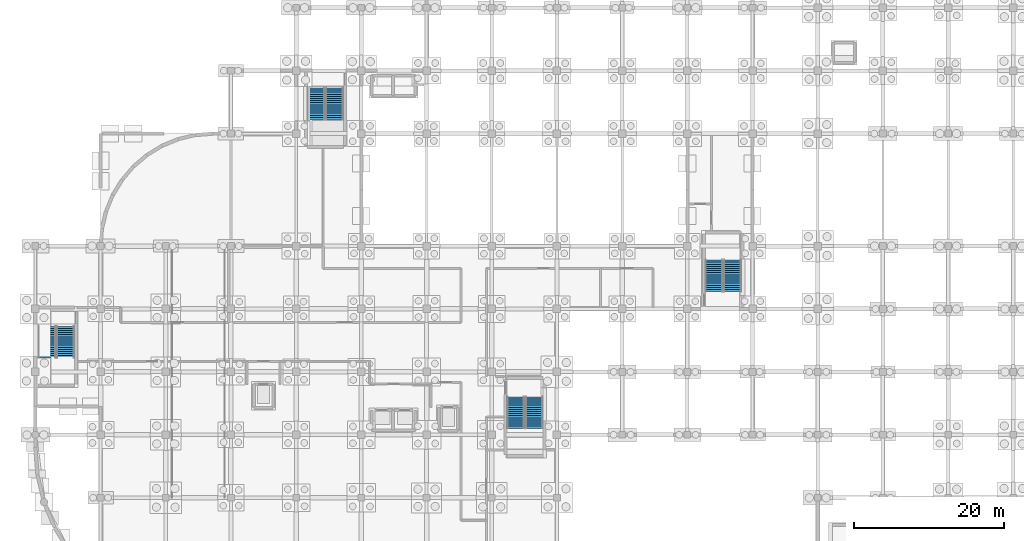
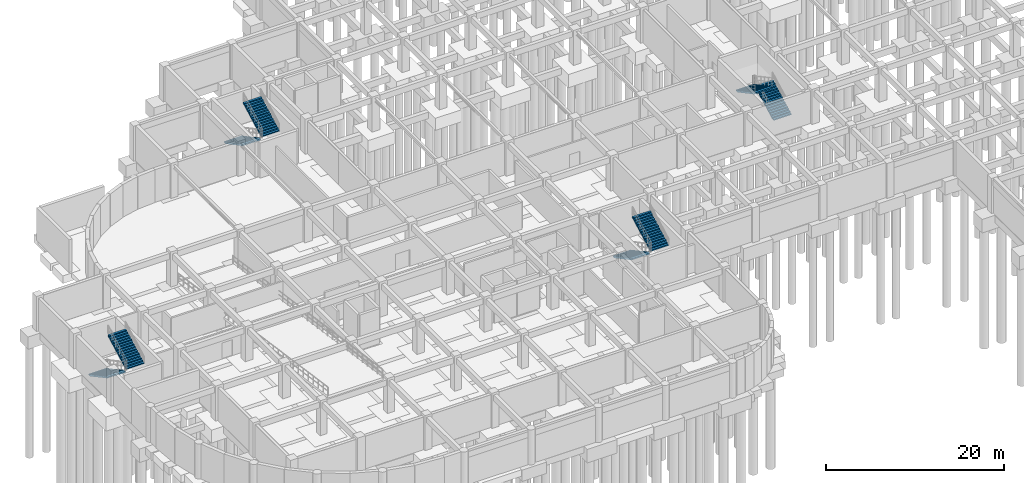
# One storey, part 29 of 33: 8 stair flights, 4 elements without a shape of their own.
"""IFC4 building model written with IfcOpenShell, lengths in metres."""

from ifc_helpers import new_model, si_unit, derived_unit, direction, frame, origin, place, context, subcontext, project, spatial, polyline, outline, extrude, material, type_object, element, aggregate, save


model = new_model("IFC4")

# Units and contexts
model_context = context("Model", 3, precision=1e-05, world=origin(), true_north=direction((0.0, 1.0)))
body_context = subcontext(model_context, "Body", "Model", "MODEL_VIEW")
ifc_project = project(units=[si_unit("LENGTHUNIT", "METRE"), si_unit("AREAUNIT", "SQUARE_METRE"), si_unit("VOLUMEUNIT", "CUBIC_METRE"), si_unit("PLANEANGLEUNIT", "RADIAN"), si_unit("MASSUNIT", "GRAM", prefix="KILO"), derived_unit("THERMALTRANSMITTANCEUNIT", [(si_unit("MASSUNIT", "GRAM", prefix="KILO"), 1), (si_unit("TIMEUNIT", "SECOND"), -3), (si_unit("THERMODYNAMICTEMPERATUREUNIT", "KELVIN"), -1)])], contexts=[model_context])

# Site, building, storey
site_placement = place(None, origin())
site = spatial("IfcSite", under=ifc_project, at=site_placement, CompositionType="ELEMENT")
building_placement = place(site_placement, origin())
building = spatial("IfcBuilding", under=site, at=building_placement, Name="Qinzheling Arcade Emporium", CompositionType="ELEMENT")
storey_placement = place(building_placement, frame((0.0, 0.0, -9.60009765625)))
storey = spatial("IfcBuildingStorey", under=building, at=storey_placement, Name="B2", CompositionType="ELEMENT", Elevation=-9.60009765625)

# Stair, stair flights
ifc_material = material(Name="Concrete C40", Category="concrete")
stair_type = type_object("IfcStairType", Name="Cast-in-Situ Dog-Leg Escape Stair H4800", PredefinedType="HALF_TURN_STAIR", material=ifc_material)
stair_1_placement = place(storey_placement, origin())
stair_1 = element("IfcStair", 1, at=stair_1_placement, inside=storey, type_object=stair_type, Name="B2 ST01", PredefinedType="HALF_TURN_STAIR")
stair_flight_type = type_object("IfcStairFlightType", Name="Cast-in-Situ Straight Stair Flight 150x280 H4800", PredefinedType="STRAIGHT", material=ifc_material)
stair_flight_1_placement = place(storey_placement, frame((64.110107421875, 30.280029296875, 0.0), z_axis=(0.0, 0.0, 1.0), x_axis=(0.0, -1.0, 0.0)))
stair_flight_1 = element("IfcStairFlight", 2, at=stair_flight_1_placement, type_object=stair_flight_type, Name="ST01 flight 1", NumberOfRisers=16, NumberOfTreads=15, PredefinedType="STRAIGHT", RiserHeight=0.15, TreadLength=0.28, context=body_context, shape_type="SweptSolid", body=[
    extrude(outline(polyline([(0.0, 0.0), (0.0, 0.14990234375), (0.280029296875, 0.14990234375), (0.280029296875, 0.300048828125), (0.56005859375, 0.300048828125), (0.56005859375, 0.449951171875), (0.840087890625, 0.449951171875), (0.840087890625, 0.60009765625), (1.1201171875, 0.60009765625), (1.1201171875, 0.75), (1.39990234375, 0.75), (1.39990234375, 0.89990234375), (1.679931640625, 0.89990234375), (1.679931640625, 1.050048828125), (1.9599609375, 1.050048828125), (1.9599609375, 1.199951171875), (2.239990234375, 1.199951171875), (2.239990234375, 1.35009765625), (2.52001953125, 1.35009765625), (2.52001953125, 1.5), (2.800048828125, 1.5), (2.800048828125, 1.64990234375), (3.080078125, 1.64990234375), (3.080078125, 1.800048828125), (3.360107421875, 1.800048828125), (3.360107421875, 1.949951171875), (3.639892578125, 1.949951171875), (3.639892578125, 2.10009765625), (3.919921875, 2.10009765625), (3.919921875, 2.25), (4.199951171875, 2.25), (4.199951171875, 2.39990234375), (4.199951171875, 2.068603515625), (0.338623046875, 0.0), (0.0, 0.0)])), frame((0.0, 1.16015625, 0.0), z_axis=(0.0, -1.0, 0.0), x_axis=(1.0, 0.0, 0.0)), (0.0, 0.0, 1.0), 2.320068359375),
])
stair_flight_2_placement = place(storey_placement, frame((66.580078125, 26.080078125, 2.400146484375), z_axis=(0.0, 0.0, 1.0), x_axis=(0.0, 1.0, 0.0)))
stair_flight_2 = element("IfcStairFlight", 3, at=stair_flight_2_placement, type_object=stair_flight_type, Name="ST01 flight 2", NumberOfRisers=16, NumberOfTreads=15, PredefinedType="STRAIGHT", RiserHeight=0.15, TreadLength=0.28, context=body_context, shape_type="SweptSolid", body=[
    extrude(outline(polyline([(0.0, 0.0), (0.0, 0.14990234375), (0.280029296875, 0.14990234375), (0.280029296875, 0.300048828125), (0.56005859375, 0.300048828125), (0.56005859375, 0.449951171875), (0.840087890625, 0.449951171875), (0.840087890625, 0.60009765625), (1.1201171875, 0.60009765625), (1.1201171875, 0.75), (1.39990234375, 0.75), (1.39990234375, 0.89990234375), (1.679931640625, 0.89990234375), (1.679931640625, 1.050048828125), (1.9599609375, 1.050048828125), (1.9599609375, 1.199951171875), (2.239990234375, 1.199951171875), (2.239990234375, 1.35009765625), (2.52001953125, 1.35009765625), (2.52001953125, 1.5), (2.800048828125, 1.5), (2.800048828125, 1.64990234375), (3.080078125, 1.64990234375), (3.080078125, 1.800048828125), (3.360107421875, 1.800048828125), (3.360107421875, 1.949951171875), (3.639892578125, 1.949951171875), (3.639892578125, 2.10009765625), (3.919921875, 2.10009765625), (3.919921875, 2.25), (4.199951171875, 2.25), (4.199951171875, 2.39990234375), (4.199951171875, 2.068603515625), (0.338623046875, 0.0), (0.0, 0.0)])), frame((0.0, 1.16015625, 0.0), z_axis=(0.0, -1.0, 0.0), x_axis=(1.0, 0.0, 0.0)), (0.0, 0.0, 1.0), 2.320068359375),
])
aggregate(stair_1, [stair_flight_1, stair_flight_2])

stair_2_placement = place(storey_placement, origin())
stair_2 = element("IfcStair", 4, at=stair_2_placement, inside=storey, type_object=stair_type, Name="B2 ST02", PredefinedType="HALF_TURN_STAIR")
stair_flight_3_placement = place(storey_placement, frame((1.56005859375, 39.679931640625, 0.0), z_axis=(0.0, 0.0, 1.0), x_axis=(0.0, -1.0, 0.0)))
stair_flight_3 = element("IfcStairFlight", 5, at=stair_flight_3_placement, type_object=stair_flight_type, Name="ST02 flight 1", NumberOfRisers=16, NumberOfTreads=15, PredefinedType="STRAIGHT", RiserHeight=0.15, TreadLength=0.28, context=body_context, shape_type="SweptSolid", body=[
    extrude(outline(polyline([(0.0, 0.0), (0.0, 0.14990234375), (0.280029296875, 0.14990234375), (0.280029296875, 0.300048828125), (0.56005859375, 0.300048828125), (0.56005859375, 0.449951171875), (0.840087890625, 0.449951171875), (0.840087890625, 0.60009765625), (1.1201171875, 0.60009765625), (1.1201171875, 0.75), (1.39990234375, 0.75), (1.39990234375, 0.89990234375), (1.679931640625, 0.89990234375), (1.679931640625, 1.050048828125), (1.9599609375, 1.050048828125), (1.9599609375, 1.199951171875), (2.239990234375, 1.199951171875), (2.239990234375, 1.35009765625), (2.52001953125, 1.35009765625), (2.52001953125, 1.5), (2.800048828125, 1.5), (2.800048828125, 1.64990234375), (3.080078125, 1.64990234375), (3.080078125, 1.800048828125), (3.360107421875, 1.800048828125), (3.360107421875, 1.949951171875), (3.639892578125, 1.949951171875), (3.639892578125, 2.10009765625), (3.919921875, 2.10009765625), (3.919921875, 2.25), (4.199951171875, 2.25), (4.199951171875, 2.39990234375), (4.199951171875, 2.068603515625), (0.338623046875, 0.0), (0.0, 0.0)])), frame((0.0, 1.16015625, 0.0), z_axis=(0.0, -1.0, 0.0), x_axis=(1.0, 0.0, 0.0)), (0.0, 0.0, 1.0), 2.320068359375),
])
stair_flight_4_placement = place(storey_placement, frame((4.030029296875, 35.47998046875, 2.400146484375), z_axis=(0.0, 0.0, 1.0), x_axis=(0.0, 1.0, 0.0)))
stair_flight_4 = element("IfcStairFlight", 6, at=stair_flight_4_placement, type_object=stair_flight_type, Name="ST02 flight 2", NumberOfRisers=16, NumberOfTreads=15, PredefinedType="STRAIGHT", RiserHeight=0.15, TreadLength=0.28, context=body_context, shape_type="SweptSolid", body=[
    extrude(outline(polyline([(0.0, 0.0), (0.0, 0.14990234375), (0.280029296875, 0.14990234375), (0.280029296875, 0.300048828125), (0.56005859375, 0.300048828125), (0.56005859375, 0.449951171875), (0.840087890625, 0.449951171875), (0.840087890625, 0.60009765625), (1.1201171875, 0.60009765625), (1.1201171875, 0.75), (1.39990234375, 0.75), (1.39990234375, 0.89990234375), (1.679931640625, 0.89990234375), (1.679931640625, 1.050048828125), (1.9599609375, 1.050048828125), (1.9599609375, 1.199951171875), (2.239990234375, 1.199951171875), (2.239990234375, 1.35009765625), (2.52001953125, 1.35009765625), (2.52001953125, 1.5), (2.800048828125, 1.5), (2.800048828125, 1.64990234375), (3.080078125, 1.64990234375), (3.080078125, 1.800048828125), (3.360107421875, 1.800048828125), (3.360107421875, 1.949951171875), (3.639892578125, 1.949951171875), (3.639892578125, 2.10009765625), (3.919921875, 2.10009765625), (3.919921875, 2.25), (4.199951171875, 2.25), (4.199951171875, 2.39990234375), (4.199951171875, 2.068603515625), (0.338623046875, 0.0), (0.0, 0.0)])), frame((0.0, 1.16015625, 0.0), z_axis=(0.0, -1.0, 0.0), x_axis=(1.0, 0.0, 0.0)), (0.0, 0.0, 1.0), 2.320068359375),
])
aggregate(stair_2, [stair_flight_3, stair_flight_4])

stair_3_placement = place(storey_placement, origin())
stair_3 = element("IfcStair", 7, at=stair_3_placement, inside=storey, type_object=stair_type, Name="B2 ST03", PredefinedType="HALF_TURN_STAIR")
stair_flight_5_placement = place(storey_placement, frame((37.4599609375, 71.47998046875, 0.0), z_axis=(0.0, 0.0, 1.0), x_axis=(0.0, -1.0, 0.0)))
stair_flight_5 = element("IfcStairFlight", 8, at=stair_flight_5_placement, type_object=stair_flight_type, Name="ST03 flight 1", NumberOfRisers=16, NumberOfTreads=15, PredefinedType="STRAIGHT", RiserHeight=0.15, TreadLength=0.28, context=body_context, shape_type="SweptSolid", body=[
    extrude(outline(polyline([(0.0, 0.0), (0.0, 0.14990234375), (0.280029296875, 0.14990234375), (0.280029296875, 0.300048828125), (0.56005859375, 0.300048828125), (0.56005859375, 0.449951171875), (0.840087890625, 0.449951171875), (0.840087890625, 0.60009765625), (1.1201171875, 0.60009765625), (1.1201171875, 0.75), (1.39990234375, 0.75), (1.39990234375, 0.89990234375), (1.679931640625, 0.89990234375), (1.679931640625, 1.050048828125), (1.9599609375, 1.050048828125), (1.9599609375, 1.199951171875), (2.239990234375, 1.199951171875), (2.239990234375, 1.35009765625), (2.52001953125, 1.35009765625), (2.52001953125, 1.5), (2.800048828125, 1.5), (2.800048828125, 1.64990234375), (3.080078125, 1.64990234375), (3.080078125, 1.800048828125), (3.360107421875, 1.800048828125), (3.360107421875, 1.949951171875), (3.639892578125, 1.949951171875), (3.639892578125, 2.10009765625), (3.919921875, 2.10009765625), (3.919921875, 2.25), (4.199951171875, 2.25), (4.199951171875, 2.39990234375), (4.199951171875, 2.068603515625), (0.338623046875, 0.0), (0.0, 0.0)])), frame((0.0, 1.16015625, 0.0), z_axis=(0.0, -1.0, 0.0), x_axis=(1.0, 0.0, 0.0)), (0.0, 0.0, 1.0), 2.320068359375),
])
stair_flight_6_placement = place(storey_placement, frame((39.929931640625, 67.280029296875, 2.400146484375), z_axis=(0.0, 0.0, 1.0), x_axis=(0.0, 1.0, 0.0)))
stair_flight_6 = element("IfcStairFlight", 9, at=stair_flight_6_placement, type_object=stair_flight_type, Name="ST03 flight 2", NumberOfRisers=16, NumberOfTreads=15, PredefinedType="STRAIGHT", RiserHeight=0.15, TreadLength=0.28, context=body_context, shape_type="SweptSolid", body=[
    extrude(outline(polyline([(0.0, 0.0), (0.0, 0.14990234375), (0.280029296875, 0.14990234375), (0.280029296875, 0.300048828125), (0.56005859375, 0.300048828125), (0.56005859375, 0.449951171875), (0.840087890625, 0.449951171875), (0.840087890625, 0.60009765625), (1.1201171875, 0.60009765625), (1.1201171875, 0.75), (1.39990234375, 0.75), (1.39990234375, 0.89990234375), (1.679931640625, 0.89990234375), (1.679931640625, 1.050048828125), (1.9599609375, 1.050048828125), (1.9599609375, 1.199951171875), (2.239990234375, 1.199951171875), (2.239990234375, 1.35009765625), (2.52001953125, 1.35009765625), (2.52001953125, 1.5), (2.800048828125, 1.5), (2.800048828125, 1.64990234375), (3.080078125, 1.64990234375), (3.080078125, 1.800048828125), (3.360107421875, 1.800048828125), (3.360107421875, 1.949951171875), (3.639892578125, 1.949951171875), (3.639892578125, 2.10009765625), (3.919921875, 2.10009765625), (3.919921875, 2.25), (4.199951171875, 2.25), (4.199951171875, 2.39990234375), (4.199951171875, 2.068603515625), (0.338623046875, 0.0), (0.0, 0.0)])), frame((0.0, 1.16015625, 0.0), z_axis=(0.0, -1.0, 0.0), x_axis=(1.0, 0.0, 0.0)), (0.0, 0.0, 1.0), 2.320068359375),
])
aggregate(stair_3, [stair_flight_5, stair_flight_6])

stair_4_placement = place(storey_placement, origin())
stair_4 = element("IfcStair", 10, at=stair_4_placement, inside=storey, type_object=stair_type, Name="B2 ST04", PredefinedType="HALF_TURN_STAIR")
stair_flight_7_placement = place(storey_placement, frame((93.030029296875, 44.320068359375, 0.0), z_axis=(0.0, 0.0, 1.0), x_axis=(0.0, 1.0, 0.0)))
stair_flight_7 = element("IfcStairFlight", 11, at=stair_flight_7_placement, type_object=stair_flight_type, Name="ST04 flight 1", NumberOfRisers=16, NumberOfTreads=15, PredefinedType="STRAIGHT", RiserHeight=0.15, TreadLength=0.28, context=body_context, shape_type="SweptSolid", body=[
    extrude(outline(polyline([(0.0, 0.0), (0.0, 0.14990234375), (0.280029296875, 0.14990234375), (0.280029296875, 0.300048828125), (0.56005859375, 0.300048828125), (0.56005859375, 0.449951171875), (0.840087890625, 0.449951171875), (0.840087890625, 0.60009765625), (1.1201171875, 0.60009765625), (1.1201171875, 0.75), (1.39990234375, 0.75), (1.39990234375, 0.89990234375), (1.679931640625, 0.89990234375), (1.679931640625, 1.050048828125), (1.9599609375, 1.050048828125), (1.9599609375, 1.199951171875), (2.239990234375, 1.199951171875), (2.239990234375, 1.35009765625), (2.52001953125, 1.35009765625), (2.52001953125, 1.5), (2.800048828125, 1.5), (2.800048828125, 1.64990234375), (3.080078125, 1.64990234375), (3.080078125, 1.800048828125), (3.360107421875, 1.800048828125), (3.360107421875, 1.949951171875), (3.639892578125, 1.949951171875), (3.639892578125, 2.10009765625), (3.919921875, 2.10009765625), (3.919921875, 2.25), (4.199951171875, 2.25), (4.199951171875, 2.39990234375), (4.199951171875, 2.068603515625), (0.338623046875, 0.0), (0.0, 0.0)])), frame((0.0, 1.16015625, 0.0), z_axis=(0.0, -1.0, 0.0), x_axis=(1.0, 0.0, 0.0)), (0.0, 0.0, 1.0), 2.320068359375),
])
stair_flight_8_placement = place(storey_placement, frame((90.56005859375, 48.52001953125, 2.400146484375), z_axis=(0.0, 0.0, 1.0), x_axis=(0.0, -1.0, 0.0)))
stair_flight_8 = element("IfcStairFlight", 12, at=stair_flight_8_placement, type_object=stair_flight_type, Name="ST04 flight 2", NumberOfRisers=16, NumberOfTreads=15, PredefinedType="STRAIGHT", RiserHeight=0.15, TreadLength=0.28, context=body_context, shape_type="SweptSolid", body=[
    extrude(outline(polyline([(0.0, 0.0), (0.0, 0.14990234375), (0.280029296875, 0.14990234375), (0.280029296875, 0.300048828125), (0.56005859375, 0.300048828125), (0.56005859375, 0.449951171875), (0.840087890625, 0.449951171875), (0.840087890625, 0.60009765625), (1.1201171875, 0.60009765625), (1.1201171875, 0.75), (1.39990234375, 0.75), (1.39990234375, 0.89990234375), (1.679931640625, 0.89990234375), (1.679931640625, 1.050048828125), (1.9599609375, 1.050048828125), (1.9599609375, 1.199951171875), (2.239990234375, 1.199951171875), (2.239990234375, 1.35009765625), (2.52001953125, 1.35009765625), (2.52001953125, 1.5), (2.800048828125, 1.5), (2.800048828125, 1.64990234375), (3.080078125, 1.64990234375), (3.080078125, 1.800048828125), (3.360107421875, 1.800048828125), (3.360107421875, 1.949951171875), (3.639892578125, 1.949951171875), (3.639892578125, 2.10009765625), (3.919921875, 2.10009765625), (3.919921875, 2.25), (4.199951171875, 2.25), (4.199951171875, 2.39990234375), (4.199951171875, 2.068603515625), (0.338623046875, 0.0), (0.0, 0.0)])), frame((0.0, 1.16015625, 0.0), z_axis=(0.0, -1.0, 0.0), x_axis=(1.0, 0.0, 0.0)), (0.0, 0.0, 1.0), 2.320068359375),
])
aggregate(stair_4, [stair_flight_7, stair_flight_8])

save(model, "model.ifc")
